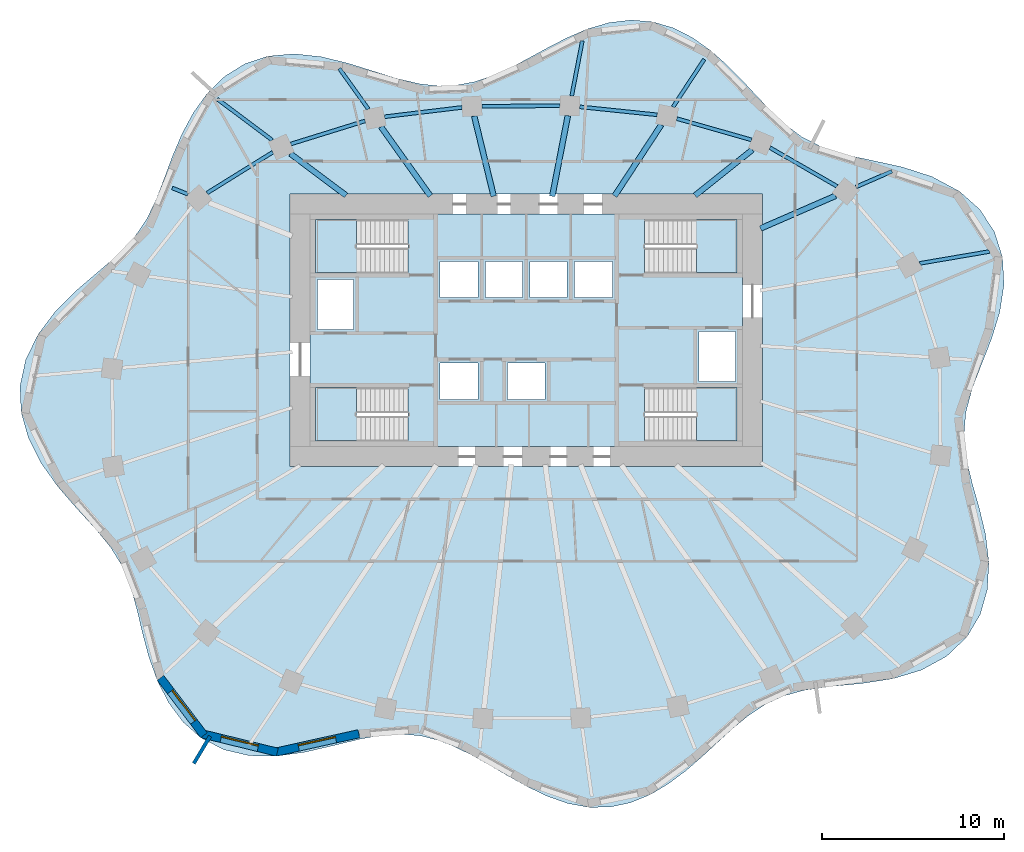
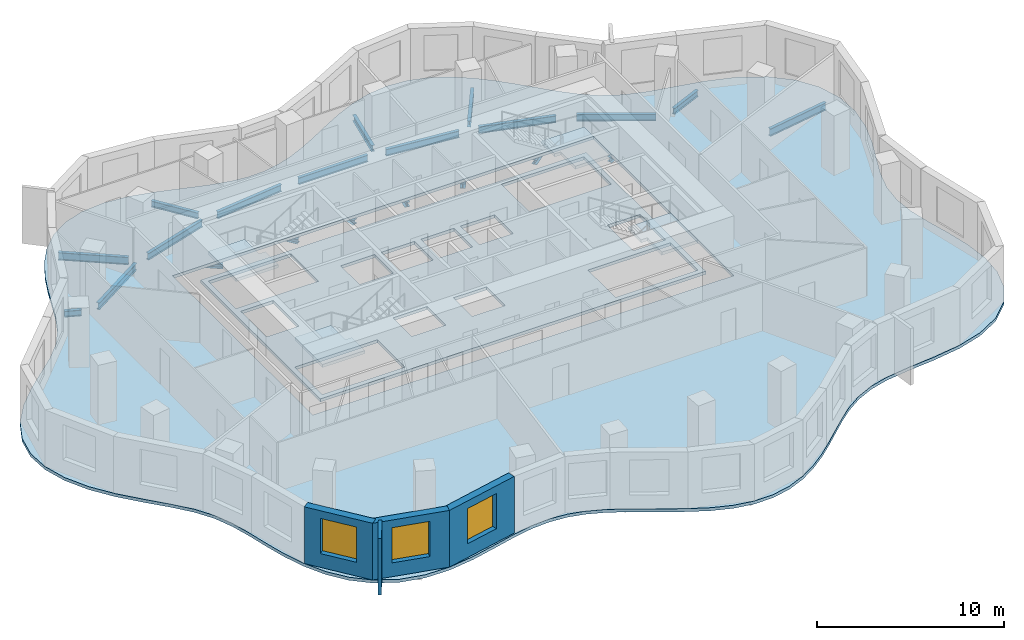
# One storey, part 2 of 9: 21 beams, 6 slabs, 4 walls, 3 windows, 3 openings, 4 elements without a shape of their own.
"""IFC4 building model written with IfcOpenShell, lengths in metres."""

from ifc_helpers import new_model, si_unit, direction, frame, frame_2d, origin, origin_2d, place, context, subcontext, project, spatial, polyline, rectangle, i_section, outline, extrude, material, layer, layer_set, material_profile, profile_set, type_object, element, fill, aggregate, save


model = new_model("IFC4")

# Units and contexts
model_context = context("Model", 3, precision=1e-05, world=origin(), true_north=direction((0.0, 1.0)))
body_context = subcontext(model_context, "Body", "Model", "MODEL_VIEW")
ifc_project = project(units=[si_unit("LENGTHUNIT", "METRE"), si_unit("AREAUNIT", "SQUARE_METRE"), si_unit("VOLUMEUNIT", "CUBIC_METRE"), si_unit("PLANEANGLEUNIT", "RADIAN"), si_unit("MASSUNIT", "GRAM", prefix="KILO")], contexts=[model_context])

# Site, building, storey
site_placement = place(None, origin())
site = spatial("IfcSite", under=ifc_project, at=site_placement, CompositionType="ELEMENT")
building_placement = place(site_placement, origin())
building = spatial("IfcBuilding", under=site, at=building_placement, Name="Rubra Terraces Tower", CompositionType="ELEMENT")
storey_placement = place(building_placement, frame((0.0, 0.0, 138.300048828125)))
storey = spatial("IfcBuildingStorey", under=building, at=storey_placement, Name="L33", CompositionType="ELEMENT", Elevation=138.300048828125)

# Beams
ifc_material_1 = material(Name="Steel Q355B", Category="steel")
ifc_material_profile_1 = material_profile(ifc_material_1, i_section(OverallWidth=0.199951171875, OverallDepth=0.39990234375, WebThickness=0.008056640625, FlangeThickness=0.012939453125, at=origin_2d()), Name="HN 400x200x8x13")
ifc_profile_set_1 = profile_set([ifc_material_profile_1], Name="Steel Q355B")
beam_type_1 = type_object("IfcBeamType", Name="CANTILEVER BEAM HN 400x200x8x13", PredefinedType="BEAM", material=ifc_profile_set_1)
beam_1_placement = place(storey_placement, frame((18.14990234375, 12.39697265625, -0.400146484375), z_axis=(0.916837475413, 0.399260621246, 0.0), x_axis=(-0.399260621246, 0.916837475413, 0.0)))
element("IfcBeam", 1, at=beam_1_placement, inside=storey, type_object=beam_type_1, Name="beam-L33-cant-03", PredefinedType="BEAM", context=body_context, shape_type="SweptSolid", body=[
    extrude(i_section(OverallWidth=0.199951171875, OverallDepth=0.39990234375, WebThickness=0.008056640625, FlangeThickness=0.012939453125, at=origin_2d()), origin(), (0.0, 0.0, 1.0), 2.154296875),
])
beam_2_placement = place(storey_placement, frame((8.076904296875, 16.803955078125, -0.400146484375), z_axis=(0.548937876401, 0.83586315139, 0.0), x_axis=(-0.83586315139, 0.548937876401, 0.0)))
element("IfcBeam", 2, at=beam_2_placement, inside=storey, type_object=beam_type_1, Name="beam-L33-cant-05", PredefinedType="BEAM", context=body_context, shape_type="SweptSolid", body=[
    extrude(i_section(OverallWidth=0.199951171875, OverallDepth=0.39990234375, WebThickness=0.008056640625, FlangeThickness=0.012939453125, at=origin_2d()), origin(), (0.0, 0.0, 1.0), 3.126220703125),
])
beam_3_placement = place(storey_placement, frame((2.498046875, 17.406982421875, -0.400146484375), z_axis=(0.189676713401, 0.981846599217, 0.0), x_axis=(-0.981846599217, 0.189676713401, 0.0)))
element("IfcBeam", 3, at=beam_3_placement, inside=storey, type_object=beam_type_1, Name="beam-L33-cant-06", PredefinedType="BEAM", context=body_context, shape_type="SweptSolid", body=[
    extrude(i_section(OverallWidth=0.199951171875, OverallDepth=0.39990234375, WebThickness=0.008056640625, FlangeThickness=0.012939453125, at=origin_2d()), origin(), (0.0, 0.0, 1.0), 3.078857421875),
])
beam_4_placement = place(storey_placement, frame((-8.695068359375, 16.679931640625, -0.400146484375), z_axis=(-0.581002903786, 0.813901484083, 0.0), x_axis=(-0.813901484083, -0.581002903786, 0.0)))
element("IfcBeam", 4, at=beam_4_placement, inside=storey, type_object=beam_type_1, Name="beam-L33-cant-08", PredefinedType="BEAM", context=body_context, shape_type="SweptSolid", body=[
    extrude(i_section(OverallWidth=0.199951171875, OverallDepth=0.39990234375, WebThickness=0.008056640625, FlangeThickness=0.012939453125, at=origin_2d()), origin(), (0.0, 0.0, 1.0), 2.74853515625),
])
ifc_material_profile_2 = material_profile(ifc_material_1, i_section(OverallWidth=0.198974609375, OverallDepth=0.49609375, WebThickness=0.009033203125, FlangeThickness=0.013916015625, at=origin_2d()), Name="HN 496x199x9x14")
ifc_profile_set_2 = profile_set([ifc_material_profile_2], Name="Steel Q355B")
beam_type_2 = type_object("IfcBeamType", Name="CANTILEVER BEAM HN 496x199x9x14", PredefinedType="BEAM", material=ifc_profile_set_2)
beam_5_placement = place(storey_placement, frame((21.656982421875, 8.18798828125, -0.447998046875), z_axis=(0.985806786827, 0.16788382604, 0.0), x_axis=(-0.16788382604, 0.985806786827, 0.0)))
element("IfcBeam", 5, at=beam_5_placement, inside=storey, type_object=beam_type_2, Name="beam-L33-cant-02", PredefinedType="BEAM", context=body_context, shape_type="SweptSolid", body=[
    extrude(i_section(OverallWidth=0.198974609375, OverallDepth=0.49609375, WebThickness=0.009033203125, FlangeThickness=0.013916015625, at=origin_2d()), origin(), (0.0, 0.0, 1.0), 3.88427734375),
])
beam_6_placement = place(storey_placement, frame((-13.989013671875, 14.971923828125, -0.447998046875), z_axis=(-0.800563432958, 0.599248020281, 0.0), x_axis=(-0.599248020281, -0.800563432958, 0.0)))
element("IfcBeam", 6, at=beam_6_placement, inside=storey, type_object=beam_type_2, Name="beam-L33-cant-09", PredefinedType="BEAM", context=body_context, shape_type="SweptSolid", body=[
    extrude(i_section(OverallWidth=0.198974609375, OverallDepth=0.49609375, WebThickness=0.009033203125, FlangeThickness=0.013916015625, at=origin_2d()), origin(), (0.0, 0.0, 1.0), 3.79345703125),
])
ifc_material_profile_3 = material_profile(ifc_material_1, i_section(OverallWidth=0.199951171875, OverallDepth=0.39990234375, WebThickness=0.008056640625, FlangeThickness=0.012939453125, at=origin_2d()), Name="HN 400x200x8x13")
ifc_profile_set_3 = profile_set([ifc_material_profile_3], Name="Steel Q355B")
beam_type_3 = type_object("IfcBeamType", Name="CANTILEVER STUB HN 400x200x8x13", PredefinedType="BEAM", material=ifc_profile_set_3)
beam_7_placement = place(storey_placement, frame((-18.6201171875, 11.991943359375, -0.400146484375), z_axis=(-0.927539121082, 0.373726074636, 0.0), x_axis=(-0.373726074636, -0.927539121082, 0.0)))
element("IfcBeam", 7, at=beam_7_placement, inside=storey, type_object=beam_type_3, Name="beam-L33-cant-10", PredefinedType="BEAM", context=body_context, shape_type="SweptSolid", body=[
    extrude(i_section(OverallWidth=0.199951171875, OverallDepth=0.39990234375, WebThickness=0.008056640625, FlangeThickness=0.012939453125, at=origin_2d()), origin(), (0.0, 0.0, 1.0), 0.936767578125),
])
ifc_material_profile_4 = material_profile(ifc_material_1, i_section(OverallWidth=0.304931640625, OverallDepth=0.300048828125, WebThickness=0.014892578125, FlangeThickness=0.014892578125, at=origin_2d()), Name="HW 300x305x15x15")
ifc_profile_set_4 = profile_set([ifc_material_profile_4], Name="Steel Q355B")
beam_type_4 = type_object("IfcBeamType", Name="FLOOR BEAM HW 300x305x15x15", PredefinedType="BEAM", material=ifc_profile_set_4)
beam_8_placement = place(storey_placement, frame((17.01806640625, 11.905029296875, -0.35009765625), z_axis=(-0.916965704309, -0.398966035047, 0.0), x_axis=(0.398966035047, -0.916965704309, 0.0)))
element("IfcBeam", 8, at=beam_8_placement, inside=storey, type_object=beam_type_4, Name="beam-L33-floor-03", PredefinedType="BEAM", context=body_context, shape_type="SweptSolid", body=[
    extrude(i_section(OverallWidth=0.304931640625, OverallDepth=0.300048828125, WebThickness=0.014892578125, FlangeThickness=0.014892578125, at=origin_2d()), origin(), (0.0, 0.0, 1.0), 4.501953125),
])
beam_9_placement = place(storey_placement, frame((12.43798828125, 14.44091796875, -0.35009765625), z_axis=(-0.781170160898, -0.624318171867, 0.0), x_axis=(0.624318171867, -0.781170160898, 0.0)))
element("IfcBeam", 9, at=beam_9_placement, inside=storey, type_object=beam_type_4, Name="beam-L33-floor-04", PredefinedType="BEAM", context=body_context, shape_type="SweptSolid", body=[
    extrude(i_section(OverallWidth=0.304931640625, OverallDepth=0.300048828125, WebThickness=0.014892578125, FlangeThickness=0.014892578125, at=origin_2d()), origin(), (0.0, 0.0, 1.0), 4.02978515625),
])
beam_10_placement = place(storey_placement, frame((7.425048828125, 15.81005859375, -0.35009765625), z_axis=(-0.548820601732, -0.835940157616, 0.0), x_axis=(0.835940157616, -0.548820601732, 0.0)))
element("IfcBeam", 10, at=beam_10_placement, inside=storey, type_object=beam_type_4, Name="beam-L33-floor-05", PredefinedType="BEAM", context=body_context, shape_type="SweptSolid", body=[
    extrude(i_section(OverallWidth=0.304931640625, OverallDepth=0.300048828125, WebThickness=0.014892578125, FlangeThickness=0.014892578125, at=origin_2d()), origin(), (0.0, 0.0, 1.0), 4.677490234375),
])
beam_11_placement = place(storey_placement, frame((2.285888671875, 16.31689453125, -0.35009765625), z_axis=(-0.189927794489, -0.981798061151, 0.0), x_axis=(0.981798061151, -0.189927794489, 0.0)))
element("IfcBeam", 11, at=beam_11_placement, inside=storey, type_object=beam_type_4, Name="beam-L33-floor-06", PredefinedType="BEAM", context=body_context, shape_type="SweptSolid", body=[
    extrude(i_section(OverallWidth=0.304931640625, OverallDepth=0.300048828125, WebThickness=0.014892578125, FlangeThickness=0.014892578125, at=origin_2d()), origin(), (0.0, 0.0, 1.0), 4.51708984375),
])
beam_12_placement = place(storey_placement, frame((-2.866943359375, 16.29296875, -0.35009765625), z_axis=(0.236214306521, -0.971700983531, 0.0), x_axis=(0.971700983531, 0.236214306521, 0.0)))
element("IfcBeam", 12, at=beam_12_placement, inside=storey, type_object=beam_type_4, Name="beam-L33-floor-07", PredefinedType="BEAM", context=body_context, shape_type="SweptSolid", body=[
    extrude(i_section(OverallWidth=0.304931640625, OverallDepth=0.300048828125, WebThickness=0.014892578125, FlangeThickness=0.014892578125, at=origin_2d()), origin(), (0.0, 0.0, 1.0), 4.538330078125),
])
beam_13_placement = place(storey_placement, frame((-7.9990234375, 15.7041015625, -0.35009765625), z_axis=(0.581010755177, -0.813895879317, 0.0), x_axis=(0.813895879317, 0.581010755177, 0.0)))
element("IfcBeam", 13, at=beam_13_placement, inside=storey, type_object=beam_type_4, Name="beam-L33-floor-08", PredefinedType="BEAM", context=body_context, shape_type="SweptSolid", body=[
    extrude(i_section(OverallWidth=0.304931640625, OverallDepth=0.300048828125, WebThickness=0.014892578125, FlangeThickness=0.014892578125, at=origin_2d()), origin(), (0.0, 0.0, 1.0), 4.67138671875),
])
beam_14_placement = place(storey_placement, frame((-12.985107421875, 14.219970703125, -0.35009765625), z_axis=(0.800566460925, -0.599243975057, 0.0), x_axis=(0.599243975057, 0.800566460925, 0.0)))
element("IfcBeam", 14, at=beam_14_placement, inside=storey, type_object=beam_type_4, Name="beam-L33-floor-09", PredefinedType="BEAM", context=body_context, shape_type="SweptSolid", body=[
    extrude(i_section(OverallWidth=0.304931640625, OverallDepth=0.300048828125, WebThickness=0.014892578125, FlangeThickness=0.014892578125, at=origin_2d()), origin(), (0.0, 0.0, 1.0), 3.82470703125),
])
ifc_material_profile_5 = material_profile(ifc_material_1, i_section(OverallWidth=0.198974609375, OverallDepth=0.446044921875, WebThickness=0.008056640625, FlangeThickness=0.011962890625, at=origin_2d()), Name="HN 446x199x8x12")
ifc_profile_set_5 = profile_set([ifc_material_profile_5], Name="Steel Q355B")
beam_type_5 = type_object("IfcBeamType", Name="SPANDREL BEAM HN 446x199x8x12", PredefinedType="SPANDREL", material=ifc_profile_set_5)
beam_15_placement = place(storey_placement, frame((17.10009765625, 12.428955078125, -0.423095703125), z_axis=(-0.866560147027, 0.49907265161, 0.0), x_axis=(-0.49907265161, -0.866560147027, 0.0)))
element("IfcBeam", 15, at=beam_15_placement, inside=storey, type_object=beam_type_5, Name="beam-L33-spandrel-03", PredefinedType="SPANDREL", context=body_context, shape_type="SweptSolid", body=[
    extrude(i_section(OverallWidth=0.198974609375, OverallDepth=0.446044921875, WebThickness=0.008056640625, FlangeThickness=0.011962890625, at=origin_2d()), origin(), (0.0, 0.0, 1.0), 4.26171875),
])
beam_16_placement = place(storey_placement, frame((12.39404296875, 14.98388671875, -0.423095703125), z_axis=(-0.961693978406, 0.274125321518, 0.0), x_axis=(-0.274125321518, -0.961693978406, 0.0)))
element("IfcBeam", 16, at=beam_16_placement, inside=storey, type_object=beam_type_5, Name="beam-L33-spandrel-04", PredefinedType="SPANDREL", context=body_context, shape_type="SweptSolid", body=[
    extrude(i_section(OverallWidth=0.198974609375, OverallDepth=0.446044921875, WebThickness=0.008056640625, FlangeThickness=0.011962890625, at=origin_2d()), origin(), (0.0, 0.0, 1.0), 4.27587890625),
])
beam_17_placement = place(storey_placement, frame((7.201904296875, 16.364013671875, -0.423095703125), z_axis=(-0.994691190497, 0.102904983103, 0.0), x_axis=(-0.102904983103, -0.994691190497, 0.0)))
element("IfcBeam", 17, at=beam_17_placement, inside=storey, type_object=beam_type_5, Name="beam-L33-spandrel-05", PredefinedType="SPANDREL", context=body_context, shape_type="SweptSolid", body=[
    extrude(i_section(OverallWidth=0.198974609375, OverallDepth=0.446044921875, WebThickness=0.008056640625, FlangeThickness=0.011962890625, at=origin_2d()), origin(), (0.0, 0.0, 1.0), 4.28466796875),
])
beam_18_placement = place(storey_placement, frame((1.841064453125, 16.85888671875, -0.423095703125), z_axis=(-0.999989371096, -0.004610606731, 0.0), x_axis=(0.004610606731, -0.999989371096, 0.0)))
element("IfcBeam", 18, at=beam_18_placement, inside=storey, type_object=beam_type_5, Name="beam-L33-spandrel-06", PredefinedType="SPANDREL", context=body_context, shape_type="SweptSolid", body=[
    extrude(i_section(OverallWidth=0.198974609375, OverallDepth=0.446044921875, WebThickness=0.008056640625, FlangeThickness=0.011962890625, at=origin_2d()), origin(), (0.0, 0.0, 1.0), 4.2890625),
])
beam_19_placement = place(storey_placement, frame((-3.5458984375, 16.77001953125, -0.423095703125), z_axis=(-0.992833084949, -0.119509269223, 0.0), x_axis=(0.119509269223, -0.992833084949, 0.0)))
element("IfcBeam", 19, at=beam_19_placement, inside=storey, type_object=beam_type_5, Name="beam-L33-spandrel-07", PredefinedType="SPANDREL", context=body_context, shape_type="SweptSolid", body=[
    extrude(i_section(OverallWidth=0.198974609375, OverallDepth=0.446044921875, WebThickness=0.008056640625, FlangeThickness=0.011962890625, at=origin_2d()), origin(), (0.0, 0.0, 1.0), 4.283935546875),
])
beam_20_placement = place(storey_placement, frame((-8.8740234375, 16.028076171875, -0.423095703125), z_axis=(-0.955002801089, -0.296596780008, 0.0), x_axis=(0.296596780008, -0.955002801089, 0.0)))
element("IfcBeam", 20, at=beam_20_placement, inside=storey, type_object=beam_type_5, Name="beam-L33-spandrel-08", PredefinedType="SPANDREL", context=body_context, shape_type="SweptSolid", body=[
    extrude(i_section(OverallWidth=0.198974609375, OverallDepth=0.446044921875, WebThickness=0.008056640625, FlangeThickness=0.011962890625, at=origin_2d()), origin(), (0.0, 0.0, 1.0), 4.275390625),
])
beam_21_placement = place(storey_placement, frame((-13.9580078125, 14.303955078125, -0.423095703125), z_axis=(-0.849549830498, -0.527508374816, 0.0), x_axis=(0.527508374816, -0.849549830498, 0.0)))
element("IfcBeam", 21, at=beam_21_placement, inside=storey, type_object=beam_type_5, Name="beam-L33-spandrel-09", PredefinedType="SPANDREL", context=body_context, shape_type="SweptSolid", body=[
    extrude(i_section(OverallWidth=0.198974609375, OverallDepth=0.446044921875, WebThickness=0.008056640625, FlangeThickness=0.011962890625, at=origin_2d()), origin(), (0.0, 0.0, 1.0), 4.259765625),
])

# Slab
ifc_material_2 = material(Name="Concrete C40", Category="concrete")
ifc_layer_1 = layer(ifc_material_2, 0.199951171875)
ifc_layer_set_1 = layer_set([ifc_layer_1], Name="Concrete C40")
slab_type_1 = type_object("IfcSlabType", Name="Core floor slab 200 concrete", PredefinedType="FLOOR", material=ifc_layer_set_1)
slab_1_placement = place(storey_placement, frame((0.0, 0.0, -0.199951171875)))
element("IfcSlab", 22, at=slab_1_placement, inside=storey, type_object=slab_type_1, Name="CORE FLOOR SLAB L33", PredefinedType="FLOOR", context=body_context, shape_type="SweptSolid", body=[
    extrude(outline(polyline([(-11.89990234375, -1.89990234375), (-11.89990234375, 10.89990234375), (11.89990234375, 10.89990234375), (11.89990234375, -1.89990234375), (-11.89990234375, -1.89990234375)]), holes=[polyline([(11.597900390625, 1.347900390625), (6.501953125, 1.347900390625), (6.501953125, -1.597900390625), (11.597900390625, -1.597900390625), (11.597900390625, 1.347900390625)]), polyline([(11.597900390625, 7.652099609375), (11.597900390625, 10.597900390625), (6.501953125, 10.597900390625), (6.501953125, 7.652099609375), (11.597900390625, 7.652099609375)]), polyline([(9.5, 1.699951171875), (11.5, 1.699951171875), (11.5, 4.449951171875), (9.5, 4.449951171875), (9.5, 1.699951171875)]), polyline([(4.75, 6.300048828125), (4.75, 8.300048828125), (2.64990234375, 8.300048828125), (2.64990234375, 6.300048828125), (4.75, 6.300048828125)]), polyline([(2.25, 8.300048828125), (0.199951171875, 8.300048828125), (0.199951171875, 6.300048828125), (2.25, 6.300048828125), (2.25, 8.300048828125)]), polyline([(1.02490234375, 0.699951171875), (1.02490234375, 2.699951171875), (-1.02490234375, 2.699951171875), (-1.02490234375, 0.699951171875), (1.02490234375, 0.699951171875)]), polyline([(-0.199951171875, 6.300048828125), (-0.199951171875, 8.300048828125), (-2.25, 8.300048828125), (-2.25, 6.300048828125), (-0.199951171875, 6.300048828125)]), polyline([(-4.75, 8.300048828125), (-4.75, 6.300048828125), (-2.64990234375, 6.300048828125), (-2.64990234375, 8.300048828125), (-4.75, 8.300048828125)]), polyline([(-2.64990234375, 0.699951171875), (-2.64990234375, 2.699951171875), (-4.75, 2.699951171875), (-4.75, 0.699951171875), (-2.64990234375, 0.699951171875)]), polyline([(-11.597900390625, -1.597900390625), (-6.501953125, -1.597900390625), (-6.501953125, 1.347900390625), (-11.597900390625, 1.347900390625), (-11.597900390625, -1.597900390625)]), polyline([(-11.597900390625, 10.597900390625), (-11.597900390625, 7.652099609375), (-6.501953125, 7.652099609375), (-6.501953125, 10.597900390625), (-11.597900390625, 10.597900390625)]), polyline([(-9.5, 4.550048828125), (-9.5, 7.300048828125), (-11.5, 7.300048828125), (-11.5, 4.550048828125), (-9.5, 4.550048828125)])]), origin(), (0.0, 0.0, 1.0), 0.199951171875),
])

# Stair, slab
stair_type = type_object("IfcStairType", Name="Core stair 1400", PredefinedType="HALF_TURN_STAIR", material=ifc_material_2)
stair_1_placement = place(storey_placement, origin())
stair_1 = element("IfcStair", 23, at=stair_1_placement, inside=storey, type_object=stair_type, Name="L33 Exit stair S1", PredefinedType="HALF_TURN_STAIR")
ifc_layer_2 = layer(ifc_material_2, 0.199951171875)
ifc_layer_set_2 = layer_set([ifc_layer_2], Name="Concrete C40")
slab_type_2 = type_object("IfcSlabType", Name="Core stair landing 200", PredefinedType="LANDING", material=ifc_layer_set_2)
slab_2_placement = place(storey_placement, frame((0.0, 0.0, 1.75)))
slab_2 = element("IfcSlab", 24, at=slab_2_placement, type_object=slab_type_2, Name="S1 landing 1", PredefinedType="LANDING", context=body_context, shape_type="SweptSolid", body=[
    extrude(outline(polyline([(-8.97998046875, -0.199951171875), (-8.97998046875, -1.60009765625), (-9.360107421875, -1.60009765625), (-9.3798828125, -1.60009765625), (-11.60009765625, -1.60009765625), (-11.60009765625, 1.35009765625), (-9.3798828125, 1.35009765625), (-9.35791015625, 1.35009765625), (-9.35791015625, -0.050048828125), (-9.360107421875, -0.050048828125), (-9.360107421875, -0.199951171875), (-8.97998046875, -0.199951171875)])), origin(), (0.0, 0.0, 1.0), 0.199951171875),
])
aggregate(stair_1, [slab_2])

stair_2_placement = place(storey_placement, origin())
stair_2 = element("IfcStair", 25, at=stair_2_placement, inside=storey, type_object=stair_type, Name="L33 Exit stair S2", PredefinedType="HALF_TURN_STAIR")
slab_3_placement = place(storey_placement, frame((0.0, 0.0, 1.75)))
slab_3 = element("IfcSlab", 26, at=slab_3_placement, type_object=slab_type_2, Name="S2 landing 1", PredefinedType="LANDING", context=body_context, shape_type="SweptSolid", body=[
    extrude(outline(polyline([(-8.97998046875, 9.050048828125), (-8.97998046875, 7.64990234375), (-9.3798828125, 7.64990234375), (-11.60009765625, 7.64990234375), (-11.60009765625, 10.60009765625), (-9.3798828125, 10.60009765625), (-9.360107421875, 10.60009765625), (-9.35791015625, 10.60009765625), (-9.35791015625, 9.199951171875), (-9.360107421875, 9.199951171875), (-9.360107421875, 9.050048828125), (-8.97998046875, 9.050048828125)])), origin(), (0.0, 0.0, 1.0), 0.199951171875),
])
aggregate(stair_2, [slab_3])

stair_3_placement = place(storey_placement, origin())
stair_3 = element("IfcStair", 27, at=stair_3_placement, inside=storey, type_object=stair_type, Name="L33 Exit stair S3", PredefinedType="HALF_TURN_STAIR")
slab_4_placement = place(storey_placement, frame((0.0, 0.0, 1.75)))
slab_4 = element("IfcSlab", 28, at=slab_4_placement, type_object=slab_type_2, Name="S3 landing 1", PredefinedType="LANDING", context=body_context, shape_type="SweptSolid", body=[
    extrude(outline(polyline([(9.360107421875, 9.050048828125), (9.360107421875, 9.199951171875), (8.97998046875, 9.199951171875), (8.97998046875, 10.60009765625), (9.360107421875, 10.60009765625), (9.3798828125, 10.60009765625), (11.60009765625, 10.60009765625), (11.60009765625, 7.64990234375), (9.3798828125, 7.64990234375), (9.35791015625, 7.64990234375), (9.35791015625, 9.050048828125), (9.360107421875, 9.050048828125)])), origin(), (0.0, 0.0, 1.0), 0.199951171875),
])
aggregate(stair_3, [slab_4])

stair_4_placement = place(storey_placement, origin())
stair_4 = element("IfcStair", 29, at=stair_4_placement, inside=storey, type_object=stair_type, Name="L33 Exit stair S4", PredefinedType="HALF_TURN_STAIR")
slab_5_placement = place(storey_placement, frame((0.0, 0.0, 1.75)))
slab_5 = element("IfcSlab", 30, at=slab_5_placement, type_object=slab_type_2, Name="S4 landing 1", PredefinedType="LANDING", context=body_context, shape_type="SweptSolid", body=[
    extrude(outline(polyline([(9.360107421875, -0.199951171875), (9.360107421875, -0.050048828125), (8.97998046875, -0.050048828125), (8.97998046875, 1.35009765625), (9.360107421875, 1.35009765625), (9.3798828125, 1.35009765625), (11.60009765625, 1.35009765625), (11.60009765625, -1.60009765625), (9.3798828125, -1.60009765625), (9.360107421875, -1.60009765625), (9.35791015625, -1.60009765625), (9.35791015625, -0.199951171875), (9.360107421875, -0.199951171875)])), origin(), (0.0, 0.0, 1.0), 0.199951171875),
])
aggregate(stair_4, [slab_5])

# Slab
ifc_layer_3 = layer(ifc_material_2, 0.199951171875)
ifc_layer_set_3 = layer_set([ifc_layer_3], Name="Concrete C40")
slab_type_3 = type_object("IfcSlabType", Name="FLOOR SLAB 200 COMPOSITE", PredefinedType="FLOOR", material=ifc_layer_set_3)
slab_6_placement = place(storey_placement, frame((0.0, 0.0, -0.199951171875)))
element("IfcSlab", 31, at=slab_6_placement, inside=storey, type_object=slab_type_3, Name="FLOOR SLAB L33", PredefinedType="FLOOR", context=body_context, shape_type="SweptSolid", body=[
    extrude(outline(polyline([(24.0849609375, -1.2900390625), (24.193115234375, 0.0), (24.544921875, 1.305908203125), (25.05908203125, 2.64111328125), (25.614990234375, 4.056884765625), (26.06005859375, 5.510009765625), (26.291015625, 7.01806640625), (26.2109375, 8.51611328125), (25.76708984375, 9.925048828125), (24.9599609375, 11.156005859375), (23.844970703125, 12.14990234375), (22.326904296875, 12.964111328125), (20.68408203125, 13.493896484375), (19.06005859375, 13.847900390625), (17.616943359375, 14.156005859375), (16.318115234375, 14.56103515625), (15.156005859375, 15.156005859375), (14.306884765625, 15.7880859375), (13.486083984375, 16.553955078125), (12.658935546875, 17.424072265625), (11.868896484375, 18.27294921875), (11.032958984375, 19.117919921875), (10.14208984375, 19.905029296875), (9.14306640625, 20.613037109375), (8.0849609375, 21.14990234375), (6.97900390625, 21.47900390625), (5.77294921875, 21.5830078125), (4.552978515625, 21.43994140625), (3.339111328125, 21.0810546875), (2.205078125, 20.589111328125), (1.093017578125, 20.010986328125), (0.0, 19.4130859375), (-0.97509765625, 18.9140625), (-1.93408203125, 18.491943359375), (-2.87890625, 18.179931640625), (-3.867919921875, 17.991943359375), (-4.861083984375, 17.9580078125), (-5.8720703125, 18.071044921875), (-7.123046875, 18.365966796875), (-8.426025390625, 18.77001953125), (-9.780029296875, 19.194091796875), (-11.27392578125, 19.56005859375), (-12.77490234375, 19.721923828125), (-14.23388671875, 19.592041015625), (-15.471923828125, 19.18310546875), (-16.589111328125, 18.493896484375), (-17.555908203125, 17.555908203125), (-18.319091796875, 16.498046875), (-18.945068359375, 15.3349609375), (-19.4560546875, 14.135986328125), (-19.930908203125, 12.864013671875), (-20.384033203125, 11.68798828125), (-20.885009765625, 10.64111328125), (-21.60595703125, 9.577880859375), (-22.52294921875, 8.62109375), (-23.623046875, 7.676025390625), (-24.782958984375, 6.68310546875), (-25.9169921875, 5.549072265625), (-26.887939453125, 4.259033203125), (-27.554931640625, 2.8779296875), (-27.867919921875, 1.43408203125), (-27.806884765625, 0.0), (-27.407958984375, -1.41796875), (-26.7099609375, -2.801025390625), (-25.800048828125, -4.0859375), (-24.75390625, -5.2958984375), (-23.74609375, -6.39208984375), (-22.884033203125, -7.43603515625), (-22.239990234375, -8.47900390625), (-21.77294921875, -9.625), (-21.419921875, -10.9140625), (-21.1298828125, -12.15087890625), (-20.782958984375, -13.4541015625), (-20.31689453125, -14.761962890625), (-19.697021484375, -15.98193359375), (-18.89697265625, -17.056884765625), (-17.919921875, -17.919921875), (-16.65087890625, -18.5810546875), (-15.242919921875, -18.908935546875), (-13.757080078125, -18.93505859375), (-12.18310546875, -18.716064453125), (-10.64404296875, -18.361083984375), (-9.172119140625, -18.001953125), (-8.00390625, -17.7900390625), (-6.881103515625, -17.718017578125), (-5.7900390625, -17.821044921875), (-4.862060546875, -18.05810546875), (-3.931884765625, -18.422119140625), (-2.991943359375, -18.889892578125), (-2.012939453125, -19.44091796875), (-1.013916015625, -20.02294921875), (0.0, -20.5869140625), (1.131103515625, -21.134033203125), (2.281005859375, -21.5400390625), (3.445068359375, -21.751953125), (4.596923828125, -21.739990234375), (5.73291015625, -21.5), (6.837890625, -21.0439453125), (7.826904296875, -20.4541015625), (8.77099609375, -19.748046875), (9.6669921875, -18.972900390625), (10.52490234375, -18.180908203125), (11.35302734375, -17.426025390625), (12.1689453125, -16.7490234375), (13.155029296875, -16.091064453125), (14.18994140625, -15.613037109375), (15.305908203125, -15.305908203125), (16.818115234375, -15.093994140625), (18.468994140625, -14.93701171875), (20.19189453125, -14.669921875), (21.739013671875, -14.201904296875), (23.134033203125, -13.43896484375), (24.260986328125, -12.362060546875), (24.98291015625, -11.135986328125), (25.3779296875, -9.7451171875), (25.4599609375, -8.27294921875), (25.278076171875, -6.735107421875), (24.927001953125, -5.261962890625), (24.534912109375, -3.885986328125), (24.218017578125, -2.56396484375), (24.0849609375, -1.2900390625)]), holes=[polyline([(13.0, 12.0), (13.0, -3.0), (-13.0, -3.0), (-13.0, 12.0), (13.0, 12.0)])]), origin(), (0.0, 0.0, 1.0), 0.199951171875),
])

# Wall, opening, window
ifc_material_3 = material(Name="Brick masonry red-brown", Category="masonry")
ifc_layer_4 = layer(ifc_material_3, 0.449951171875)
ifc_layer_set_4 = layer_set([ifc_layer_4], Name="Brick masonry red-brown")
wall_type_1 = type_object("IfcWallType", Name="Brick facade wall 450", PredefinedType="SOLIDWALL", material=ifc_layer_set_4)
wall_1_placement = place(storey_placement, frame((-20.1376953125, -14.6259765625, 0.0), z_axis=(0.0, 0.0, 1.0), x_axis=(0.604591324894, -0.796535830872, 0.0)))
wall_1 = element("IfcWall", 32, at=wall_1_placement, inside=storey, type_object=wall_type_1, Name="Facade wall L33 bay 25", PredefinedType="SOLIDWALL", context=body_context, shape_type="SweptSolid", body=[
    extrude(rectangle(XDim=3.964599609375, YDim=0.449951171875, at=frame_2d((1.982421875, 0.0))), origin(), (0.0, 0.0, 1.0), 3.699951171875),
])
opening_1_placement = place(wall_1_placement, frame((0.932373046875, 0.0, 0.89990234375)))
opening_1 = element("IfcOpeningElement", 33, at=opening_1_placement, cuts=wall_1, Name="Opening W1B", PredefinedType="OPENING", context=body_context, shape_type="SweptSolid", body=[
    extrude(rectangle(XDim=2.10009765625, YDim=2.300048828125, at=frame_2d((1.050048828125, 1.14990234375))), frame((0.0, 0.23486328125, 0.0), z_axis=(0.0, -1.0, 0.0), x_axis=(1.0, 0.0, 0.0)), (0.0, 0.0, 1.0), 0.469970703125),
])
ifc_material_4 = material(Name="Clear glass in aluminium frame", Category="aluminium")
window_type = type_object("IfcWindowType", Name="Fixed deep-set window tall storey 2100 x 2300", PartitioningType="SINGLE_PANEL", PredefinedType="WINDOW", material=ifc_material_4)
window_1_placement = place(opening_1_placement, origin())
window_1 = element("IfcWindow", 34, at=window_1_placement, inside=storey, type_object=window_type, Name="Window L33 bay 25", OverallHeight=2.300048828125, OverallWidth=2.10009765625, PartitioningType="SINGLE_PANEL", PredefinedType="WINDOW", context=body_context, shape_type="SweptSolid", body=[
    extrude(rectangle(XDim=2.10009765625, YDim=2.300048828125, at=frame_2d((1.050048828125, 1.14990234375))), frame((0.0, 0.135009765625, 0.0), z_axis=(0.0, -1.0, 0.0), x_axis=(1.0, 0.0, 0.0)), (0.0, 0.0, 1.0), 0.06005859375),
])
fill(opening_1, window_1)

wall_2_placement = place(storey_placement, frame((-17.86669921875, -17.701416015625, 0.0), z_axis=(0.0, 0.0, 1.0), x_axis=(0.971546885012, -0.236847314156, 0.0)))
wall_2 = element("IfcWall", 35, at=wall_2_placement, inside=storey, type_object=wall_type_1, Name="Facade wall L33 bay 26", PredefinedType="SOLIDWALL", context=body_context, shape_type="SweptSolid", body=[
    extrude(rectangle(XDim=4.284912109375, YDim=0.449951171875, at=frame_2d((2.142578125, 0.0))), origin(), (0.0, 0.0, 1.0), 3.699951171875),
])
opening_2_placement = place(wall_2_placement, frame((1.092529296875, 0.0, 0.89990234375)))
opening_2 = element("IfcOpeningElement", 36, at=opening_2_placement, cuts=wall_2, Name="Opening W1B", PredefinedType="OPENING", context=body_context, shape_type="SweptSolid", body=[
    extrude(rectangle(XDim=2.10009765625, YDim=2.300048828125, at=frame_2d((1.050048828125, 1.14990234375))), frame((0.0, 0.23486328125, 0.0), z_axis=(0.0, -1.0, 0.0), x_axis=(1.0, 0.0, 0.0)), (0.0, 0.0, 1.0), 0.469970703125),
])
window_2_placement = place(opening_2_placement, origin())
window_2 = element("IfcWindow", 37, at=window_2_placement, inside=storey, type_object=window_type, Name="Window L33 bay 26", OverallHeight=2.300048828125, OverallWidth=2.10009765625, PartitioningType="SINGLE_PANEL", PredefinedType="WINDOW", context=body_context, shape_type="SweptSolid", body=[
    extrude(rectangle(XDim=2.10009765625, YDim=2.300048828125, at=frame_2d((1.050048828125, 1.14990234375))), frame((0.0, 0.135009765625, 0.0), z_axis=(0.0, -1.0, 0.0), x_axis=(1.0, 0.0, 0.0)), (0.0, 0.0, 1.0), 0.06005859375),
])
fill(opening_2, window_2)

wall_3_placement = place(storey_placement, frame((-13.802001953125, -18.714599609375, 0.0), z_axis=(0.0, 0.0, 1.0), x_axis=(0.976380129166, 0.216059814331, 0.0)))
wall_3 = element("IfcWall", 38, at=wall_3_placement, inside=storey, type_object=wall_type_1, Name="Facade wall L33 bay 27", PredefinedType="SOLIDWALL", context=body_context, shape_type="SweptSolid", body=[
    extrude(rectangle(XDim=4.691650390625, YDim=0.449951171875, at=frame_2d((2.345703125, 0.0))), origin(), (0.0, 0.0, 1.0), 3.699951171875),
])
opening_3_placement = place(wall_3_placement, frame((1.295654296875, 0.0, 0.89990234375)))
opening_3 = element("IfcOpeningElement", 39, at=opening_3_placement, cuts=wall_3, Name="Opening W1B", PredefinedType="OPENING", context=body_context, shape_type="SweptSolid", body=[
    extrude(rectangle(XDim=2.10009765625, YDim=2.300048828125, at=frame_2d((1.050048828125, 1.14990234375))), frame((0.0, 0.23486328125, 0.0), z_axis=(0.0, -1.0, 0.0), x_axis=(1.0, 0.0, 0.0)), (0.0, 0.0, 1.0), 0.469970703125),
])
window_3_placement = place(opening_3_placement, origin())
window_3 = element("IfcWindow", 40, at=window_3_placement, inside=storey, type_object=window_type, Name="Window L33 bay 27", OverallHeight=2.300048828125, OverallWidth=2.10009765625, PartitioningType="SINGLE_PANEL", PredefinedType="WINDOW", context=body_context, shape_type="SweptSolid", body=[
    extrude(rectangle(XDim=2.10009765625, YDim=2.300048828125, at=frame_2d((1.050048828125, 1.14990234375))), frame((0.0, 0.135009765625, 0.0), z_axis=(0.0, -1.0, 0.0), x_axis=(1.0, 0.0, 0.0)), (0.0, 0.0, 1.0), 0.06005859375),
])
fill(opening_3, window_3)

# Wall
ifc_layer_5 = layer(ifc_material_3, 0.199951171875)
ifc_layer_set_5 = layer_set([ifc_layer_5], Name="Brick masonry red-brown")
wall_type_2 = type_object("IfcWallType", Name="Brick wind fin 200", PredefinedType="SOLIDWALL", material=ifc_layer_set_5)
wall_4_placement = place(storey_placement, frame((-17.406005859375, -17.8349609375, 0.0), z_axis=(0.0, 0.0, 1.0), x_axis=(-0.512648290506, -0.858598701514, 0.0)))
element("IfcWall", 41, at=wall_4_placement, inside=storey, type_object=wall_type_2, Name="Wind fin L33 13", PredefinedType="SOLIDWALL", context=body_context, shape_type="SweptSolid", body=[
    extrude(rectangle(XDim=1.750244140625, YDim=0.199951171875, at=frame_2d((0.875, 0.0))), origin(), (0.0, 0.0, 1.0), 3.699951171875),
])

save(model, "model.ifc")
